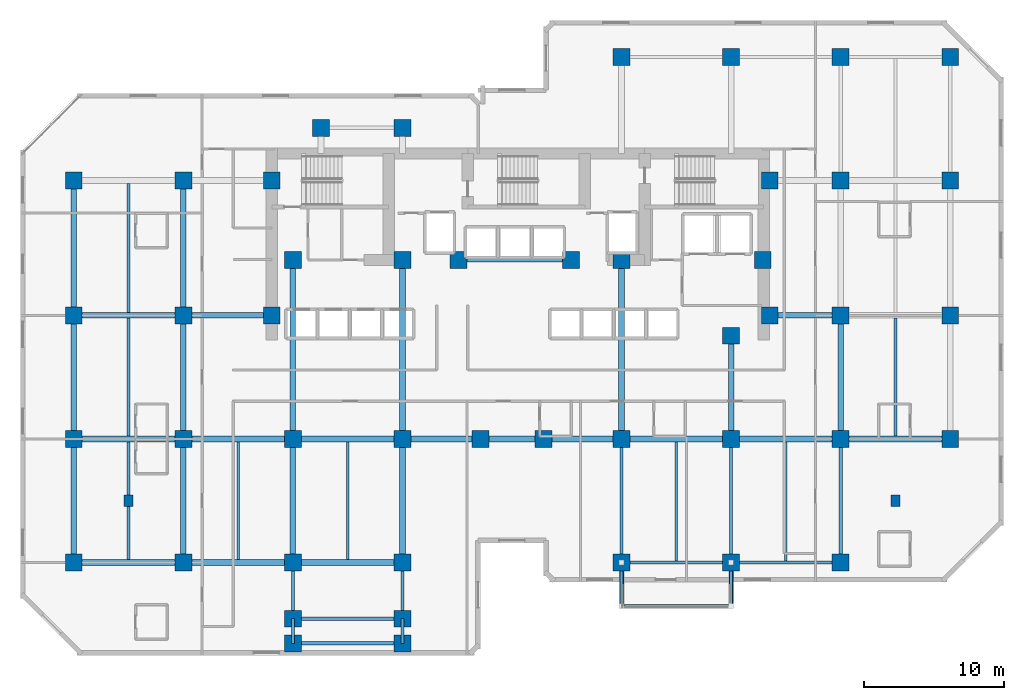
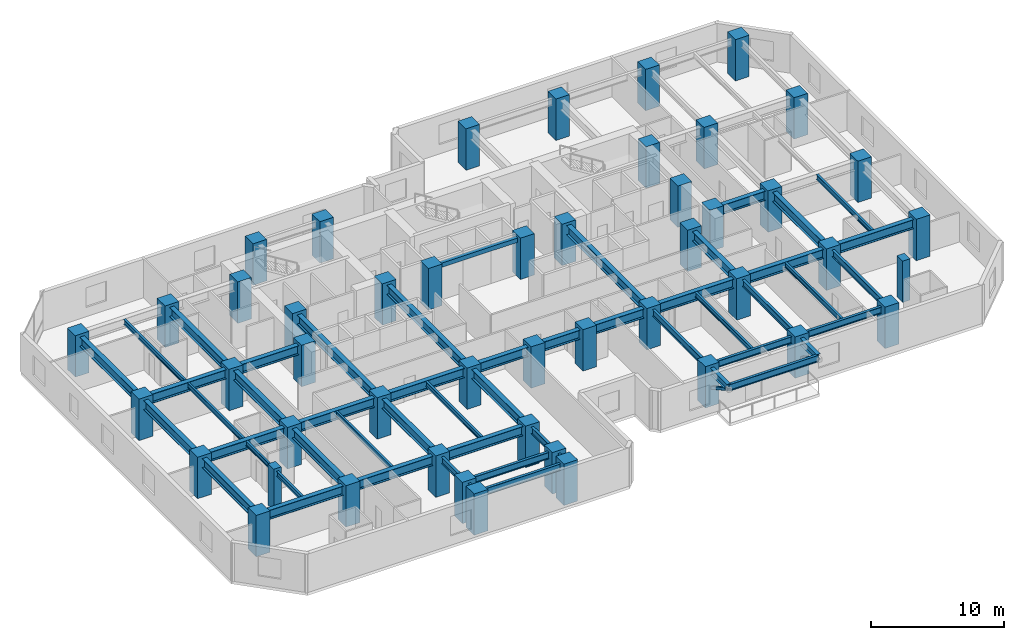
# One storey, part 1 of 11: 51 beams, 48 columns, 2 members.
"""IFC4 building model written with IfcOpenShell, lengths in metres."""

from ifc_helpers import new_model, si_unit, direction, frame, origin, origin_2d, place, context, subcontext, project, spatial, rectangle, hollow_rectangle, i_section, extrude, material, material_profile, profile_set, type_object, element, save


model = new_model("IFC4")

# Units and contexts
model_context = context("Model", 3, precision=1e-05, world=origin(), true_north=direction((0.0, 1.0)))
body_context = subcontext(model_context, "Body", "Model", "MODEL_VIEW")
ifc_project = project(units=[si_unit("LENGTHUNIT", "METRE"), si_unit("AREAUNIT", "SQUARE_METRE"), si_unit("VOLUMEUNIT", "CUBIC_METRE"), si_unit("PLANEANGLEUNIT", "RADIAN"), si_unit("MASSUNIT", "GRAM", prefix="KILO")], contexts=[model_context])

# Site, building, storey
site_placement = place(None, origin())
site = spatial("IfcSite", under=ifc_project, at=site_placement, CompositionType="ELEMENT")
building_placement = place(site_placement, origin())
building = spatial("IfcBuilding", under=site, at=building_placement, Name="Kestravale Grand Hotel", CompositionType="ELEMENT")
storey_placement = place(building_placement, frame((0.0, 0.0, 84.199951171875)))
storey = spatial("IfcBuildingStorey", under=building, at=storey_placement, Name="L20", CompositionType="ELEMENT", Elevation=84.199951171875)

# Columns
ifc_material_1 = material(Name="Precast concrete f'c 45 MPa", Category="concrete")
ifc_material_profile_1 = material_profile(ifc_material_1, rectangle(XDim=0.64990234375, YDim=0.85009765625, at=origin_2d()))
ifc_profile_set_1 = profile_set([ifc_material_profile_1], Name="Precast concrete f'c 45 MPa")
column_type_1 = type_object("IfcColumnType", Name="C-Z1-PIL850", PredefinedType="PILASTER", material=ifc_profile_set_1)
for number, where, z_axis, x_axis, name in (
    (1, (11.699951171875, 15.60009765625, 0.0), (0.0, 0.0, 1.0), (1.0, 0.0, 0.0), "L20 Art Deco fluted pilaster P1"),
    (2, (66.300048828125, 15.60009765625, 0.0), (0.0, 0.0, 1.0), (1.0, 0.0, 0.0), "L20 Art Deco fluted pilaster P2"),
):
    element("IfcColumn", number, at=place(storey_placement, frame(where, z_axis=z_axis, x_axis=x_axis)), inside=storey, type_object=column_type_1, Name=name, PredefinedType="PILASTER", context=body_context, shape_type="SweptSolid", body=[
        extrude(rectangle(XDim=0.64990234375, YDim=0.85009765625, at=origin_2d()), origin(), (0.0, 0.0, 1.0), 3.800048828125),
    ])
ifc_material_2 = material(Name="Concrete f'c 60 MPa", Category="concrete")
ifc_material_profile_2 = material_profile(ifc_material_2, rectangle(XDim=1.199951171875, YDim=1.199951171875, at=origin_2d()))
ifc_profile_set_2 = profile_set([ifc_material_profile_2], Name="Concrete f'c 60 MPa")
column_type_2 = type_object("IfcColumnType", Name="C-Z2-1200", PredefinedType="COLUMN", material=ifc_profile_set_2)
for number, where, z_axis, x_axis, name in (
    (3, (7.800048828125, 11.199951171875, 0.0), (0.0, 0.0, 1.0), (1.0, 0.0, 0.0), "L20 column 2-C"),
    (4, (7.800048828125, 20.0, 0.0), (0.0, 0.0, 1.0), (1.0, 0.0, 0.0), "L20 column 2-D"),
    (5, (7.800048828125, 28.800048828125, 0.0), (0.0, 0.0, 1.0), (1.0, 0.0, 0.0), "L20 column 2-E"),
    (6, (7.800048828125, 38.39990234375, 0.0), (0.0, 0.0, 1.0), (1.0, 0.0, 0.0), "L20 column 2-F"),
    (7, (15.60009765625, 11.199951171875, 0.0), (0.0, 0.0, 1.0), (1.0, 0.0, 0.0), "L20 column 3-C"),
    (8, (15.60009765625, 20.0, 0.0), (0.0, 0.0, 1.0), (1.0, 0.0, 0.0), "L20 column 3-D"),
    (9, (15.60009765625, 28.800048828125, 0.0), (0.0, 0.0, 1.0), (1.0, 0.0, 0.0), "L20 column 3-E"),
    (10, (15.60009765625, 38.39990234375, 0.0), (0.0, 0.0, 1.0), (1.0, 0.0, 0.0), "L20 column 3-F"),
    (11, (23.39990234375, 11.199951171875, 0.0), (0.0, 0.0, 1.0), (1.0, 0.0, 0.0), "L20 column 4-C"),
    (12, (23.39990234375, 20.0, 0.0), (0.0, 0.0, 1.0), (1.0, 0.0, 0.0), "L20 column 4-D"),
    (13, (31.199951171875, 11.199951171875, 0.0), (0.0, 0.0, 1.0), (1.0, 0.0, 0.0), "L20 column 5-C"),
    (14, (31.199951171875, 20.0, 0.0), (0.0, 0.0, 1.0), (1.0, 0.0, 0.0), "L20 column 5-D"),
    (15, (36.75, 20.0, 0.0), (0.0, 0.0, 1.0), (1.0, 0.0, 0.0), "L20 column 6-D"),
    (16, (41.25, 20.0, 0.0), (0.0, 0.0, 1.0), (1.0, 0.0, 0.0), "L20 column 7-D"),
    (17, (46.800048828125, 11.199951171875, 0.0), (0.0, 0.0, 1.0), (1.0, 0.0, 0.0), "L20 column 8-C"),
    (18, (46.800048828125, 20.0, 0.0), (0.0, 0.0, 1.0), (1.0, 0.0, 0.0), "L20 column 8-D"),
    (19, (46.800048828125, 47.199951171875, 0.0), (0.0, 0.0, 1.0), (1.0, 0.0, 0.0), "L20 column 8-G"),
    (20, (54.60009765625, 11.199951171875, 0.0), (0.0, 0.0, 1.0), (1.0, 0.0, 0.0), "L20 column 9-C"),
    (21, (54.60009765625, 20.0, 0.0), (0.0, 0.0, 1.0), (1.0, 0.0, 0.0), "L20 column 9-D"),
    (22, (54.60009765625, 47.199951171875, 0.0), (0.0, 0.0, 1.0), (1.0, 0.0, 0.0), "L20 column 9-G"),
    (23, (62.39990234375, 11.199951171875, 0.0), (0.0, 0.0, 1.0), (1.0, 0.0, 0.0), "L20 column 10-C"),
    (24, (62.39990234375, 20.0, 0.0), (0.0, 0.0, 1.0), (1.0, 0.0, 0.0), "L20 column 10-D"),
    (25, (62.39990234375, 28.800048828125, 0.0), (0.0, 0.0, 1.0), (1.0, 0.0, 0.0), "L20 column 10-E"),
    (26, (62.39990234375, 38.39990234375, 0.0), (0.0, 0.0, 1.0), (1.0, 0.0, 0.0), "L20 column 10-F"),
    (27, (62.39990234375, 47.199951171875, 0.0), (0.0, 0.0, 1.0), (1.0, 0.0, 0.0), "L20 column 10-G"),
    (28, (70.199951171875, 20.0, 0.0), (0.0, 0.0, 1.0), (1.0, 0.0, 0.0), "L20 column 11-D"),
    (29, (70.199951171875, 28.800048828125, 0.0), (0.0, 0.0, 1.0), (1.0, 0.0, 0.0), "L20 column 11-E"),
    (30, (70.199951171875, 38.39990234375, 0.0), (0.0, 0.0, 1.0), (1.0, 0.0, 0.0), "L20 column 11-F"),
    (31, (70.199951171875, 47.199951171875, 0.0), (0.0, 0.0, 1.0), (1.0, 0.0, 0.0), "L20 column 11-G"),
    (32, (21.89990234375, 28.800048828125, 0.0), (0.0, 0.0, 1.0), (1.0, 0.0, 0.0), "L20 column CW-E"),
    (33, (21.89990234375, 38.39990234375, 0.0), (0.0, 0.0, 1.0), (1.0, 0.0, 0.0), "L20 column CW-F"),
    (34, (57.35009765625, 28.800048828125, 0.0), (0.0, 0.0, 1.0), (1.0, 0.0, 0.0), "L20 column CE-E"),
    (35, (57.35009765625, 38.39990234375, 0.0), (0.0, 0.0, 1.0), (1.0, 0.0, 0.0), "L20 column CE-F"),
    (36, (23.39990234375, 32.75, 0.0), (0.0, 0.0, 1.0), (1.0, 0.0, 0.0), "L20 column 4-CS"),
    (37, (31.199951171875, 32.75, 0.0), (0.0, 0.0, 1.0), (1.0, 0.0, 0.0), "L20 column 5-CS"),
    (38, (35.199951171875, 32.75, 0.0), (0.0, 0.0, 1.0), (1.0, 0.0, 0.0), "L20 column 6C-CS"),
    (39, (43.199951171875, 32.75, 0.0), (0.0, 0.0, 1.0), (1.0, 0.0, 0.0), "L20 column 7C-CS"),
    (40, (46.800048828125, 32.75, 0.0), (0.0, 0.0, 1.0), (1.0, 0.0, 0.0), "L20 column 8-CS"),
    (41, (54.60009765625, 27.35009765625, 0.0), (0.0, 0.0, 1.0), (1.0, 0.0, 0.0), "L20 column 9-CS"),
    (42, (56.85009765625, 32.75, 0.0), (0.0, 0.0, 1.0), (1.0, 0.0, 0.0), "L20 column 9C-CS"),
    (43, (23.39990234375, 7.199951171875, 0.0), (0.0, 0.0, 1.0), (1.0, 0.0, 0.0), "L20 column 4-BS"),
    (44, (31.199951171875, 7.199951171875, 0.0), (0.0, 0.0, 1.0), (1.0, 0.0, 0.0), "L20 column 5-BS"),
    (45, (25.39990234375, 42.14990234375, 0.0), (0.0, 0.0, 1.0), (1.0, 0.0, 0.0), "L20 column 4-FN"),
    (46, (31.199951171875, 42.14990234375, 0.0), (0.0, 0.0, 1.0), (1.0, 0.0, 0.0), "L20 column 5-FN"),
    (47, (23.39990234375, 5.449951171875, 0.0), (0.0, 0.0, 1.0), (1.0, 0.0, 0.0), "L20 column 4-B1S"),
    (48, (31.199951171875, 5.449951171875, 0.0), (0.0, 0.0, 1.0), (1.0, 0.0, 0.0), "L20 column 5-B1S"),
):
    element("IfcColumn", number, at=place(storey_placement, frame(where, z_axis=z_axis, x_axis=x_axis)), inside=storey, type_object=column_type_2, Name=name, PredefinedType="COLUMN", context=body_context, shape_type="SweptSolid", body=[
        extrude(rectangle(XDim=1.199951171875, YDim=1.199951171875, at=origin_2d()), origin(), (0.0, 0.0, 1.0), 3.800048828125),
    ])

# Beams
ifc_material_3 = material(Name="Steel ASTM A992 Grade 50", Category="steel")
ifc_material_profile_3 = material_profile(ifc_material_3, i_section(OverallWidth=0.19091796875, OverallDepth=0.45703125, WebThickness=0.009033203125, FlangeThickness=0.014404296875, FilletRadius=0.015380859375, at=origin_2d()))
ifc_profile_set_3 = profile_set([ifc_material_profile_3], Name="Steel ASTM A992 Grade 50")
beam_type_1 = type_object("IfcBeamType", Name="B-FLR-JST18", PredefinedType="JOIST", material=ifc_profile_set_3)
for number, where, z_axis, x_axis, name in (
    (49, (11.699951171875, 11.400390625, 3.3115234375), (0.0, 1.0, 0.0), (-1.0, 0.0, 0.0), "L20 floor joist 2-3/C-D #1"),
    (50, (11.699951171875, 20.200439453125, 3.3115234375), (0.0, 1.0, 0.0), (-1.0, 0.0, 0.0), "L20 floor joist 2-3/D-E #1"),
):
    element("IfcBeam", number, at=place(storey_placement, frame(where, z_axis=z_axis, x_axis=x_axis)), inside=storey, type_object=beam_type_1, Name=name, PredefinedType="JOIST", context=body_context, shape_type="SweptSolid", body=[
        extrude(i_section(OverallWidth=0.19091796875, OverallDepth=0.45703125, WebThickness=0.009033203125, FlangeThickness=0.014404296875, FilletRadius=0.015380859375, at=origin_2d()), origin(), (0.0, 0.0, 1.0), 8.399169921875),
    ])
beam_1_placement = place(storey_placement, frame((11.699951171875, 29.00048828125, 3.3115234375), z_axis=(0.0, 1.0, 0.0), x_axis=(-1.0, 0.0, 0.0)))
element("IfcBeam", 51, at=beam_1_placement, inside=storey, type_object=beam_type_1, Name="L20 floor joist 2-3/E-F #1", PredefinedType="JOIST", context=body_context, shape_type="SweptSolid", body=[
    extrude(i_section(OverallWidth=0.19091796875, OverallDepth=0.45703125, WebThickness=0.009033203125, FlangeThickness=0.014404296875, FilletRadius=0.015380859375, at=origin_2d()), origin(), (0.0, 0.0, 1.0), 9.198974609375),
])
for number, where, z_axis, x_axis, name in (
    (52, (19.5, 11.400390625, 3.3115234375), (0.0, 1.0, 0.0), (-1.0, 0.0, 0.0), "L20 floor joist 3-4/C-D #1"),
    (53, (27.300048828125, 11.400390625, 3.3115234375), (0.0, 1.0, 0.0), (-1.0, 0.0, 0.0), "L20 floor joist 4-5/C-D #1"),
):
    element("IfcBeam", number, at=place(storey_placement, frame(where, z_axis=z_axis, x_axis=x_axis)), inside=storey, type_object=beam_type_1, Name=name, PredefinedType="JOIST", context=body_context, shape_type="SweptSolid", body=[
        extrude(i_section(OverallWidth=0.19091796875, OverallDepth=0.45703125, WebThickness=0.009033203125, FlangeThickness=0.014404296875, FilletRadius=0.015380859375, at=origin_2d()), origin(), (0.0, 0.0, 1.0), 8.399169921875),
    ])
for number, where, z_axis, x_axis, name in (
    (54, (50.699951171875, 11.314453125, 3.3115234375), (0.0, 1.0, 0.0), (-1.0, 0.0, 0.0), "L20 floor joist 8-9/C-D #1"),
    (55, (58.5, 11.314453125, 3.3115234375), (0.0, 1.0, 0.0), (-1.0, 0.0, 0.0), "L20 floor joist 9-10/C-D #1"),
):
    element("IfcBeam", number, at=place(storey_placement, frame(where, z_axis=z_axis, x_axis=x_axis)), inside=storey, type_object=beam_type_1, Name=name, PredefinedType="JOIST", context=body_context, shape_type="SweptSolid", body=[
        extrude(i_section(OverallWidth=0.19091796875, OverallDepth=0.45703125, WebThickness=0.009033203125, FlangeThickness=0.014404296875, FilletRadius=0.015380859375, at=origin_2d()), origin(), (0.0, 0.0, 1.0), 8.485107421875),
    ])
beam_2_placement = place(storey_placement, frame((66.300048828125, 20.200439453125, 3.3115234375), z_axis=(0.0, 1.0, 0.0), x_axis=(-1.0, 0.0, 0.0)))
element("IfcBeam", 56, at=beam_2_placement, inside=storey, type_object=beam_type_1, Name="L20 floor joist 10-11/D-E #1", PredefinedType="JOIST", context=body_context, shape_type="SweptSolid", body=[
    extrude(i_section(OverallWidth=0.19091796875, OverallDepth=0.45703125, WebThickness=0.009033203125, FlangeThickness=0.014404296875, FilletRadius=0.015380859375, at=origin_2d()), origin(), (0.0, 0.0, 1.0), 8.399169921875),
])
ifc_material_4 = material(Name="Concrete f'c 45 MPa", Category="concrete")
ifc_material_profile_4 = material_profile(ifc_material_4, rectangle(XDim=0.300048828125, YDim=0.39990234375, at=origin_2d()))
ifc_profile_set_4 = profile_set([ifc_material_profile_4], Name="Concrete f'c 45 MPa")
beam_type_2 = type_object("IfcBeamType", Name="B-FLR-LNT400", PredefinedType="LINTEL", material=ifc_profile_set_4)
beam_3_placement = place(storey_placement, frame((35.199951171875, 32.75, 3.340087890625), z_axis=(1.0, 0.0, 0.0), x_axis=(0.0, 1.0, 0.0)))
element("IfcBeam", 57, at=beam_3_placement, inside=storey, type_object=beam_type_2, Name="L20 core portal header lintel", PredefinedType="LINTEL", context=body_context, shape_type="SweptSolid", body=[
    extrude(rectangle(XDim=0.300048828125, YDim=0.39990234375, at=origin_2d()), origin(), (0.0, 0.0, 1.0), 8.0),
])
ifc_material_5 = material(Name="Steel ASTM A992 Grade 50", Category="steel")
ifc_material_profile_5 = material_profile(ifc_material_5, i_section(OverallWidth=0.324951171875, OverallDepth=0.612060546875, WebThickness=0.0126953125, FlangeThickness=0.01904296875, FilletRadius=0.018798828125, at=origin_2d()))
ifc_profile_set_5 = profile_set([ifc_material_profile_5], Name="Steel ASTM A992 Grade 50")
beam_type_3 = type_object("IfcBeamType", Name="B-FLR-W24A", PredefinedType="SPANDREL", material=ifc_profile_set_5)
for number, where, z_axis, x_axis, name in (
    (58, (46.800048828125, 11.199951171875, 3.22412109375), (0.0, -1.0, 0.0), (1.0, 0.0, 0.0), "L21 terrace cantilever beam 1"),
    (59, (54.60009765625, 11.199951171875, 3.22412109375), (0.0, -1.0, 0.0), (1.0, 0.0, 0.0), "L21 terrace cantilever beam 2"),
):
    element("IfcBeam", number, at=place(storey_placement, frame(where, z_axis=z_axis, x_axis=x_axis)), inside=storey, type_object=beam_type_3, Name=name, PredefinedType="SPANDREL", context=body_context, shape_type="SweptSolid", body=[
        extrude(i_section(OverallWidth=0.324951171875, OverallDepth=0.612060546875, WebThickness=0.0126953125, FlangeThickness=0.01904296875, FilletRadius=0.018798828125, at=origin_2d()), origin(), (0.0, 0.0, 1.0), 3.099853515625),
    ])
ifc_material_6 = material(Name="Steel ASTM A992 Grade 50", Category="steel")
ifc_material_profile_6 = material_profile(ifc_material_6, i_section(OverallWidth=0.22900390625, OverallDepth=0.612060546875, WebThickness=0.011962890625, FlangeThickness=0.01953125, FilletRadius=0.019287109375, at=origin_2d()))
ifc_profile_set_6 = profile_set([ifc_material_profile_6], Name="Steel ASTM A992 Grade 50")
beam_type_4 = type_object("IfcBeamType", Name="B-FLR-W24B", PredefinedType="SPANDREL", material=ifc_profile_set_6)
beam_4_placement = place(storey_placement, frame((46.800048828125, 11.199951171875, 3.234130859375), z_axis=(1.0, 0.0, 0.0), x_axis=(0.0, 1.0, 0.0)))
element("IfcBeam", 60, at=beam_4_placement, inside=storey, type_object=beam_type_4, Name="L20 spandrel C:8-9", PredefinedType="SPANDREL", context=body_context, shape_type="SweptSolid", body=[
    extrude(i_section(OverallWidth=0.22900390625, OverallDepth=0.612060546875, WebThickness=0.011962890625, FlangeThickness=0.01953125, FilletRadius=0.019287109375, at=origin_2d()), origin(), (0.0, 0.0, 1.0), 7.800048828125),
])
beam_5_placement = place(storey_placement, frame((54.60009765625, 11.199951171875, 3.234130859375), z_axis=(1.0, 0.0, 0.0), x_axis=(0.0, 1.0, 0.0)))
element("IfcBeam", 61, at=beam_5_placement, inside=storey, type_object=beam_type_4, Name="L20 spandrel C:9-10", PredefinedType="SPANDREL", context=body_context, shape_type="SweptSolid", body=[
    extrude(i_section(OverallWidth=0.22900390625, OverallDepth=0.612060546875, WebThickness=0.011962890625, FlangeThickness=0.01953125, FilletRadius=0.019287109375, at=origin_2d()), origin(), (0.0, 0.0, 1.0), 7.7998046875),
])
for number, where, z_axis, x_axis, name in (
    (62, (23.39990234375, 5.449951171875, 3.234130859375), (1.0, 0.0, 0.0), (0.0, 1.0, 0.0), "L20 perimeter tie spandrel B1S:4-5"),
    (63, (23.39990234375, 7.199951171875, 3.234130859375), (1.0, 0.0, 0.0), (0.0, 1.0, 0.0), "L20 perimeter tie spandrel BS:4-5"),
):
    element("IfcBeam", number, at=place(storey_placement, frame(where, z_axis=z_axis, x_axis=x_axis)), inside=storey, type_object=beam_type_4, Name=name, PredefinedType="SPANDREL", context=body_context, shape_type="SweptSolid", body=[
        extrude(i_section(OverallWidth=0.22900390625, OverallDepth=0.612060546875, WebThickness=0.011962890625, FlangeThickness=0.01953125, FilletRadius=0.019287109375, at=origin_2d()), origin(), (0.0, 0.0, 1.0), 7.800048828125),
    ])
beam_6_placement = place(storey_placement, frame((23.39990234375, 5.449951171875, 3.234130859375), z_axis=(0.0, 1.0, 0.0), x_axis=(-1.0, 0.0, 0.0)))
element("IfcBeam", 64, at=beam_6_placement, inside=storey, type_object=beam_type_4, Name="L20 spandrel 4:B1S-BS", PredefinedType="SPANDREL", context=body_context, shape_type="SweptSolid", body=[
    extrude(i_section(OverallWidth=0.22900390625, OverallDepth=0.612060546875, WebThickness=0.011962890625, FlangeThickness=0.01953125, FilletRadius=0.019287109375, at=origin_2d()), origin(), (0.0, 0.0, 1.0), 1.75),
])
beam_7_placement = place(storey_placement, frame((23.39990234375, 7.199951171875, 3.234130859375), z_axis=(0.0, 1.0, 0.0), x_axis=(-1.0, 0.0, 0.0)))
element("IfcBeam", 65, at=beam_7_placement, inside=storey, type_object=beam_type_4, Name="L20 spandrel 4:BS-C", PredefinedType="SPANDREL", context=body_context, shape_type="SweptSolid", body=[
    extrude(i_section(OverallWidth=0.22900390625, OverallDepth=0.612060546875, WebThickness=0.011962890625, FlangeThickness=0.01953125, FilletRadius=0.019287109375, at=origin_2d()), origin(), (0.0, 0.0, 1.0), 4.0),
])
beam_8_placement = place(storey_placement, frame((31.199951171875, 5.449951171875, 3.234130859375), z_axis=(0.0, 1.0, 0.0), x_axis=(-1.0, 0.0, 0.0)))
element("IfcBeam", 66, at=beam_8_placement, inside=storey, type_object=beam_type_4, Name="L20 spandrel 5:B1S-BS", PredefinedType="SPANDREL", context=body_context, shape_type="SweptSolid", body=[
    extrude(i_section(OverallWidth=0.22900390625, OverallDepth=0.612060546875, WebThickness=0.011962890625, FlangeThickness=0.01953125, FilletRadius=0.019287109375, at=origin_2d()), origin(), (0.0, 0.0, 1.0), 1.75),
])
beam_9_placement = place(storey_placement, frame((31.199951171875, 7.199951171875, 3.234130859375), z_axis=(0.0, 1.0, 0.0), x_axis=(-1.0, 0.0, 0.0)))
element("IfcBeam", 67, at=beam_9_placement, inside=storey, type_object=beam_type_4, Name="L20 spandrel 5:BS-C", PredefinedType="SPANDREL", context=body_context, shape_type="SweptSolid", body=[
    extrude(i_section(OverallWidth=0.22900390625, OverallDepth=0.612060546875, WebThickness=0.011962890625, FlangeThickness=0.01953125, FilletRadius=0.019287109375, at=origin_2d()), origin(), (0.0, 0.0, 1.0), 4.0),
])
for number, where, z_axis, x_axis, name in (
    (68, (46.800048828125, 11.199951171875, 3.234130859375), (0.0, 1.0, 0.0), (-1.0, 0.0, 0.0), "L20 spandrel 8:C-D"),
    (69, (54.60009765625, 11.199951171875, 3.234130859375), (0.0, 1.0, 0.0), (-1.0, 0.0, 0.0), "L20 spandrel 9:C-D"),
    (70, (62.39990234375, 11.199951171875, 3.234130859375), (0.0, 1.0, 0.0), (-1.0, 0.0, 0.0), "L20 spandrel 10:C-D"),
):
    element("IfcBeam", number, at=place(storey_placement, frame(where, z_axis=z_axis, x_axis=x_axis)), inside=storey, type_object=beam_type_4, Name=name, PredefinedType="SPANDREL", context=body_context, shape_type="SweptSolid", body=[
        extrude(i_section(OverallWidth=0.22900390625, OverallDepth=0.612060546875, WebThickness=0.011962890625, FlangeThickness=0.01953125, FilletRadius=0.019287109375, at=origin_2d()), origin(), (0.0, 0.0, 1.0), 8.800048828125),
    ])
beam_10_placement = place(storey_placement, frame((46.800048828125, 8.10009765625, 3.22412109375), z_axis=(1.0, 0.0, 0.0), x_axis=(0.0, 1.0, 0.0)))
element("IfcBeam", 71, at=beam_10_placement, inside=storey, type_object=beam_type_4, Name="L21 terrace edge spandrel", PredefinedType="SPANDREL", context=body_context, shape_type="SweptSolid", body=[
    extrude(i_section(OverallWidth=0.22900390625, OverallDepth=0.612060546875, WebThickness=0.011962890625, FlangeThickness=0.01953125, FilletRadius=0.019287109375, at=origin_2d()), origin(), (0.0, 0.0, 1.0), 7.800048828125),
])
ifc_material_7 = material(Name="Steel ASTM A992 Grade 50", Category="steel")
ifc_material_profile_7 = material_profile(ifc_material_7, i_section(OverallWidth=0.40087890625, OverallDepth=0.861083984375, WebThickness=0.019775390625, FlangeThickness=0.032470703125, FilletRadius=0.0234375, at=origin_2d()))
ifc_profile_set_7 = profile_set([ifc_material_profile_7], Name="Steel ASTM A992 Grade 50")
beam_type_5 = type_object("IfcBeamType", Name="B-GRD-W33", PredefinedType="BEAM", material=ifc_profile_set_7)
beam_11_placement = place(storey_placement, frame((7.800048828125, 11.199951171875, 3.109619140625), z_axis=(1.0, 0.0, 0.0), x_axis=(0.0, 1.0, 0.0)))
element("IfcBeam", 72, at=beam_11_placement, inside=storey, type_object=beam_type_5, Name="L20 girder C:2-3", PredefinedType="BEAM", context=body_context, shape_type="SweptSolid", body=[
    extrude(i_section(OverallWidth=0.40087890625, OverallDepth=0.861083984375, WebThickness=0.019775390625, FlangeThickness=0.032470703125, FilletRadius=0.0234375, at=origin_2d()), origin(), (0.0, 0.0, 1.0), 7.800048828125),
])
beam_12_placement = place(storey_placement, frame((15.60009765625, 11.199951171875, 3.109619140625), z_axis=(1.0, 0.0, 0.0), x_axis=(0.0, 1.0, 0.0)))
element("IfcBeam", 73, at=beam_12_placement, inside=storey, type_object=beam_type_5, Name="L20 girder C:3-4", PredefinedType="BEAM", context=body_context, shape_type="SweptSolid", body=[
    extrude(i_section(OverallWidth=0.40087890625, OverallDepth=0.861083984375, WebThickness=0.019775390625, FlangeThickness=0.032470703125, FilletRadius=0.0234375, at=origin_2d()), origin(), (0.0, 0.0, 1.0), 7.7998046875),
])
for number, where, z_axis, x_axis, name in (
    (74, (23.39990234375, 11.199951171875, 3.109619140625), (1.0, 0.0, 0.0), (0.0, 1.0, 0.0), "L20 girder C:4-5"),
    (75, (7.800048828125, 20.0, 3.109619140625), (1.0, 0.0, 0.0), (0.0, 1.0, 0.0), "L20 girder D:2-3"),
):
    element("IfcBeam", number, at=place(storey_placement, frame(where, z_axis=z_axis, x_axis=x_axis)), inside=storey, type_object=beam_type_5, Name=name, PredefinedType="BEAM", context=body_context, shape_type="SweptSolid", body=[
        extrude(i_section(OverallWidth=0.40087890625, OverallDepth=0.861083984375, WebThickness=0.019775390625, FlangeThickness=0.032470703125, FilletRadius=0.0234375, at=origin_2d()), origin(), (0.0, 0.0, 1.0), 7.800048828125),
    ])
beam_13_placement = place(storey_placement, frame((15.60009765625, 20.0, 3.109619140625), z_axis=(1.0, 0.0, 0.0), x_axis=(0.0, 1.0, 0.0)))
element("IfcBeam", 76, at=beam_13_placement, inside=storey, type_object=beam_type_5, Name="L20 girder D:3-4", PredefinedType="BEAM", context=body_context, shape_type="SweptSolid", body=[
    extrude(i_section(OverallWidth=0.40087890625, OverallDepth=0.861083984375, WebThickness=0.019775390625, FlangeThickness=0.032470703125, FilletRadius=0.0234375, at=origin_2d()), origin(), (0.0, 0.0, 1.0), 7.7998046875),
])
beam_14_placement = place(storey_placement, frame((23.39990234375, 20.0, 3.109619140625), z_axis=(1.0, 0.0, 0.0), x_axis=(0.0, 1.0, 0.0)))
element("IfcBeam", 77, at=beam_14_placement, inside=storey, type_object=beam_type_5, Name="L20 girder D:4-5", PredefinedType="BEAM", context=body_context, shape_type="SweptSolid", body=[
    extrude(i_section(OverallWidth=0.40087890625, OverallDepth=0.861083984375, WebThickness=0.019775390625, FlangeThickness=0.032470703125, FilletRadius=0.0234375, at=origin_2d()), origin(), (0.0, 0.0, 1.0), 7.800048828125),
])
beam_15_placement = place(storey_placement, frame((31.199951171875, 20.0, 3.109619140625), z_axis=(1.0, 0.0, 0.0), x_axis=(0.0, 1.0, 0.0)))
element("IfcBeam", 78, at=beam_15_placement, inside=storey, type_object=beam_type_5, Name="L20 girder D:5-6", PredefinedType="BEAM", context=body_context, shape_type="SweptSolid", body=[
    extrude(i_section(OverallWidth=0.40087890625, OverallDepth=0.861083984375, WebThickness=0.019775390625, FlangeThickness=0.032470703125, FilletRadius=0.0234375, at=origin_2d()), origin(), (0.0, 0.0, 1.0), 5.550048828125),
])
beam_16_placement = place(storey_placement, frame((36.75, 20.0, 3.109619140625), z_axis=(1.0, 0.0, 0.0), x_axis=(0.0, 1.0, 0.0)))
element("IfcBeam", 79, at=beam_16_placement, inside=storey, type_object=beam_type_5, Name="L20 girder D:6-7", PredefinedType="BEAM", context=body_context, shape_type="SweptSolid", body=[
    extrude(i_section(OverallWidth=0.40087890625, OverallDepth=0.861083984375, WebThickness=0.019775390625, FlangeThickness=0.032470703125, FilletRadius=0.0234375, at=origin_2d()), origin(), (0.0, 0.0, 1.0), 4.5),
])
beam_17_placement = place(storey_placement, frame((41.25, 20.0, 3.109619140625), z_axis=(1.0, 0.0, 0.0), x_axis=(0.0, 1.0, 0.0)))
element("IfcBeam", 80, at=beam_17_placement, inside=storey, type_object=beam_type_5, Name="L20 girder D:7-8", PredefinedType="BEAM", context=body_context, shape_type="SweptSolid", body=[
    extrude(i_section(OverallWidth=0.40087890625, OverallDepth=0.861083984375, WebThickness=0.019775390625, FlangeThickness=0.032470703125, FilletRadius=0.0234375, at=origin_2d()), origin(), (0.0, 0.0, 1.0), 5.550048828125),
])
beam_18_placement = place(storey_placement, frame((46.800048828125, 20.0, 3.109619140625), z_axis=(1.0, 0.0, 0.0), x_axis=(0.0, 1.0, 0.0)))
element("IfcBeam", 81, at=beam_18_placement, inside=storey, type_object=beam_type_5, Name="L20 girder D:8-9", PredefinedType="BEAM", context=body_context, shape_type="SweptSolid", body=[
    extrude(i_section(OverallWidth=0.40087890625, OverallDepth=0.861083984375, WebThickness=0.019775390625, FlangeThickness=0.032470703125, FilletRadius=0.0234375, at=origin_2d()), origin(), (0.0, 0.0, 1.0), 7.800048828125),
])
beam_19_placement = place(storey_placement, frame((54.60009765625, 20.0, 3.109619140625), z_axis=(1.0, 0.0, 0.0), x_axis=(0.0, 1.0, 0.0)))
element("IfcBeam", 82, at=beam_19_placement, inside=storey, type_object=beam_type_5, Name="L20 girder D:9-10", PredefinedType="BEAM", context=body_context, shape_type="SweptSolid", body=[
    extrude(i_section(OverallWidth=0.40087890625, OverallDepth=0.861083984375, WebThickness=0.019775390625, FlangeThickness=0.032470703125, FilletRadius=0.0234375, at=origin_2d()), origin(), (0.0, 0.0, 1.0), 7.7998046875),
])
for number, where, z_axis, x_axis, name in (
    (83, (62.39990234375, 20.0, 3.109619140625), (1.0, 0.0, 0.0), (0.0, 1.0, 0.0), "L20 girder D:10-11"),
    (84, (7.800048828125, 28.800048828125, 3.109619140625), (1.0, 0.0, 0.0), (0.0, 1.0, 0.0), "L20 girder E:2-3"),
):
    element("IfcBeam", number, at=place(storey_placement, frame(where, z_axis=z_axis, x_axis=x_axis)), inside=storey, type_object=beam_type_5, Name=name, PredefinedType="BEAM", context=body_context, shape_type="SweptSolid", body=[
        extrude(i_section(OverallWidth=0.40087890625, OverallDepth=0.861083984375, WebThickness=0.019775390625, FlangeThickness=0.032470703125, FilletRadius=0.0234375, at=origin_2d()), origin(), (0.0, 0.0, 1.0), 7.800048828125),
    ])
beam_20_placement = place(storey_placement, frame((15.60009765625, 28.800048828125, 3.109619140625), z_axis=(1.0, 0.0, 0.0), x_axis=(0.0, 1.0, 0.0)))
element("IfcBeam", 85, at=beam_20_placement, inside=storey, type_object=beam_type_5, Name="L20 girder E:3-CW", PredefinedType="BEAM", context=body_context, shape_type="SweptSolid", body=[
    extrude(i_section(OverallWidth=0.40087890625, OverallDepth=0.861083984375, WebThickness=0.019775390625, FlangeThickness=0.032470703125, FilletRadius=0.0234375, at=origin_2d()), origin(), (0.0, 0.0, 1.0), 6.2998046875),
])
beam_21_placement = place(storey_placement, frame((57.35009765625, 28.800048828125, 3.109619140625), z_axis=(1.0, 0.0, 0.0), x_axis=(0.0, 1.0, 0.0)))
element("IfcBeam", 86, at=beam_21_placement, inside=storey, type_object=beam_type_5, Name="L20 girder E:CE-10", PredefinedType="BEAM", context=body_context, shape_type="SweptSolid", body=[
    extrude(i_section(OverallWidth=0.40087890625, OverallDepth=0.861083984375, WebThickness=0.019775390625, FlangeThickness=0.032470703125, FilletRadius=0.0234375, at=origin_2d()), origin(), (0.0, 0.0, 1.0), 5.0498046875),
])
for number, where, z_axis, x_axis, name in (
    (87, (7.800048828125, 11.199951171875, 3.109619140625), (0.0, 1.0, 0.0), (-1.0, 0.0, 0.0), "L20 girder 2:C-D"),
    (88, (7.800048828125, 20.0, 3.109619140625), (0.0, 1.0, 0.0), (-1.0, 0.0, 0.0), "L20 girder 2:D-E"),
):
    element("IfcBeam", number, at=place(storey_placement, frame(where, z_axis=z_axis, x_axis=x_axis)), inside=storey, type_object=beam_type_5, Name=name, PredefinedType="BEAM", context=body_context, shape_type="SweptSolid", body=[
        extrude(i_section(OverallWidth=0.40087890625, OverallDepth=0.861083984375, WebThickness=0.019775390625, FlangeThickness=0.032470703125, FilletRadius=0.0234375, at=origin_2d()), origin(), (0.0, 0.0, 1.0), 8.800048828125),
    ])
beam_22_placement = place(storey_placement, frame((7.800048828125, 28.800048828125, 3.109619140625), z_axis=(0.0, 1.0, 0.0), x_axis=(-1.0, 0.0, 0.0)))
element("IfcBeam", 89, at=beam_22_placement, inside=storey, type_object=beam_type_5, Name="L20 girder 2:E-F", PredefinedType="BEAM", context=body_context, shape_type="SweptSolid", body=[
    extrude(i_section(OverallWidth=0.40087890625, OverallDepth=0.861083984375, WebThickness=0.019775390625, FlangeThickness=0.032470703125, FilletRadius=0.0234375, at=origin_2d()), origin(), (0.0, 0.0, 1.0), 9.599853515625),
])
for number, where, z_axis, x_axis, name in (
    (90, (15.60009765625, 11.199951171875, 3.109619140625), (0.0, 1.0, 0.0), (-1.0, 0.0, 0.0), "L20 girder 3:C-D"),
    (91, (15.60009765625, 20.0, 3.109619140625), (0.0, 1.0, 0.0), (-1.0, 0.0, 0.0), "L20 girder 3:D-E"),
):
    element("IfcBeam", number, at=place(storey_placement, frame(where, z_axis=z_axis, x_axis=x_axis)), inside=storey, type_object=beam_type_5, Name=name, PredefinedType="BEAM", context=body_context, shape_type="SweptSolid", body=[
        extrude(i_section(OverallWidth=0.40087890625, OverallDepth=0.861083984375, WebThickness=0.019775390625, FlangeThickness=0.032470703125, FilletRadius=0.0234375, at=origin_2d()), origin(), (0.0, 0.0, 1.0), 8.800048828125),
    ])
beam_23_placement = place(storey_placement, frame((15.60009765625, 28.800048828125, 3.109619140625), z_axis=(0.0, 1.0, 0.0), x_axis=(-1.0, 0.0, 0.0)))
element("IfcBeam", 92, at=beam_23_placement, inside=storey, type_object=beam_type_5, Name="L20 girder 3:E-F", PredefinedType="BEAM", context=body_context, shape_type="SweptSolid", body=[
    extrude(i_section(OverallWidth=0.40087890625, OverallDepth=0.861083984375, WebThickness=0.019775390625, FlangeThickness=0.032470703125, FilletRadius=0.0234375, at=origin_2d()), origin(), (0.0, 0.0, 1.0), 9.599853515625),
])
beam_24_placement = place(storey_placement, frame((23.39990234375, 11.199951171875, 3.109619140625), z_axis=(0.0, 1.0, 0.0), x_axis=(-1.0, 0.0, 0.0)))
element("IfcBeam", 93, at=beam_24_placement, inside=storey, type_object=beam_type_5, Name="L20 girder 4:C-D", PredefinedType="BEAM", context=body_context, shape_type="SweptSolid", body=[
    extrude(i_section(OverallWidth=0.40087890625, OverallDepth=0.861083984375, WebThickness=0.019775390625, FlangeThickness=0.032470703125, FilletRadius=0.0234375, at=origin_2d()), origin(), (0.0, 0.0, 1.0), 8.800048828125),
])
beam_25_placement = place(storey_placement, frame((23.39990234375, 20.0, 3.109619140625), z_axis=(0.0, 1.0, 0.0), x_axis=(-1.0, 0.0, 0.0)))
element("IfcBeam", 94, at=beam_25_placement, inside=storey, type_object=beam_type_5, Name="L20 girder 4:D-CS", PredefinedType="BEAM", context=body_context, shape_type="SweptSolid", body=[
    extrude(i_section(OverallWidth=0.40087890625, OverallDepth=0.861083984375, WebThickness=0.019775390625, FlangeThickness=0.032470703125, FilletRadius=0.0234375, at=origin_2d()), origin(), (0.0, 0.0, 1.0), 12.75),
])
beam_26_placement = place(storey_placement, frame((31.199951171875, 11.199951171875, 3.109619140625), z_axis=(0.0, 1.0, 0.0), x_axis=(-1.0, 0.0, 0.0)))
element("IfcBeam", 95, at=beam_26_placement, inside=storey, type_object=beam_type_5, Name="L20 girder 5:C-D", PredefinedType="BEAM", context=body_context, shape_type="SweptSolid", body=[
    extrude(i_section(OverallWidth=0.40087890625, OverallDepth=0.861083984375, WebThickness=0.019775390625, FlangeThickness=0.032470703125, FilletRadius=0.0234375, at=origin_2d()), origin(), (0.0, 0.0, 1.0), 8.800048828125),
])
for number, where, z_axis, x_axis, name in (
    (96, (31.199951171875, 20.0, 3.109619140625), (0.0, 1.0, 0.0), (-1.0, 0.0, 0.0), "L20 girder 5:D-CS"),
    (97, (46.800048828125, 20.0, 3.109619140625), (0.0, 1.0, 0.0), (-1.0, 0.0, 0.0), "L20 girder 8:D-CS"),
):
    element("IfcBeam", number, at=place(storey_placement, frame(where, z_axis=z_axis, x_axis=x_axis)), inside=storey, type_object=beam_type_5, Name=name, PredefinedType="BEAM", context=body_context, shape_type="SweptSolid", body=[
        extrude(i_section(OverallWidth=0.40087890625, OverallDepth=0.861083984375, WebThickness=0.019775390625, FlangeThickness=0.032470703125, FilletRadius=0.0234375, at=origin_2d()), origin(), (0.0, 0.0, 1.0), 12.75),
    ])
beam_27_placement = place(storey_placement, frame((54.60009765625, 20.0, 3.109619140625), z_axis=(0.0, 1.0, 0.0), x_axis=(-1.0, 0.0, 0.0)))
element("IfcBeam", 98, at=beam_27_placement, inside=storey, type_object=beam_type_5, Name="L20 girder 9:D-CS", PredefinedType="BEAM", context=body_context, shape_type="SweptSolid", body=[
    extrude(i_section(OverallWidth=0.40087890625, OverallDepth=0.861083984375, WebThickness=0.019775390625, FlangeThickness=0.032470703125, FilletRadius=0.0234375, at=origin_2d()), origin(), (0.0, 0.0, 1.0), 7.35009765625),
])
beam_28_placement = place(storey_placement, frame((62.39990234375, 20.0, 3.109619140625), z_axis=(0.0, 1.0, 0.0), x_axis=(-1.0, 0.0, 0.0)))
element("IfcBeam", 99, at=beam_28_placement, inside=storey, type_object=beam_type_5, Name="L20 girder 10:D-E", PredefinedType="BEAM", context=body_context, shape_type="SweptSolid", body=[
    extrude(i_section(OverallWidth=0.40087890625, OverallDepth=0.861083984375, WebThickness=0.019775390625, FlangeThickness=0.032470703125, FilletRadius=0.0234375, at=origin_2d()), origin(), (0.0, 0.0, 1.0), 8.800048828125),
])

# Members
ifc_material_8 = material(Name="Steel ASTM A500 Grade C", Category="steel")
ifc_material_profile_8 = material_profile(ifc_material_8, hollow_rectangle(XDim=0.25, YDim=0.25, WallThickness=0.011962890625, InnerFilletRadius=0.011962890625, OuterFilletRadius=0.02392578125, at=origin_2d()))
ifc_profile_set_8 = profile_set([ifc_material_profile_8], Name="Steel ASTM A500 Grade C")
member_type = type_object("IfcMemberType", Name="M-BLT-STR250", PredefinedType="STRUT", material=ifc_profile_set_8)
for number, where, z_axis, x_axis, name in (
    (100, (46.800048828125, 11.199951171875, 1.3740234375), (0.0, -0.876808651978, 0.480839461583), (1.0, 0.0, 0.0), "L21 terrace knee-brace strut 1"),
    (101, (54.60009765625, 11.199951171875, 1.3740234375), (0.0, -0.876808651978, 0.480839461583), (1.0, 0.0, 0.0), "L21 terrace knee-brace strut 2"),
):
    element("IfcMember", number, at=place(storey_placement, frame(where, z_axis=z_axis, x_axis=x_axis)), inside=storey, type_object=member_type, Name=name, PredefinedType="STRUT", context=body_context, shape_type="SweptSolid", body=[
        extrude(hollow_rectangle(XDim=0.25, YDim=0.25, WallThickness=0.011962890625, InnerFilletRadius=0.011962890625, OuterFilletRadius=0.02392578125, at=origin_2d()), origin(), (0.0, 0.0, 1.0), 3.535400390625),
    ])

save(model, "model.ifc")
